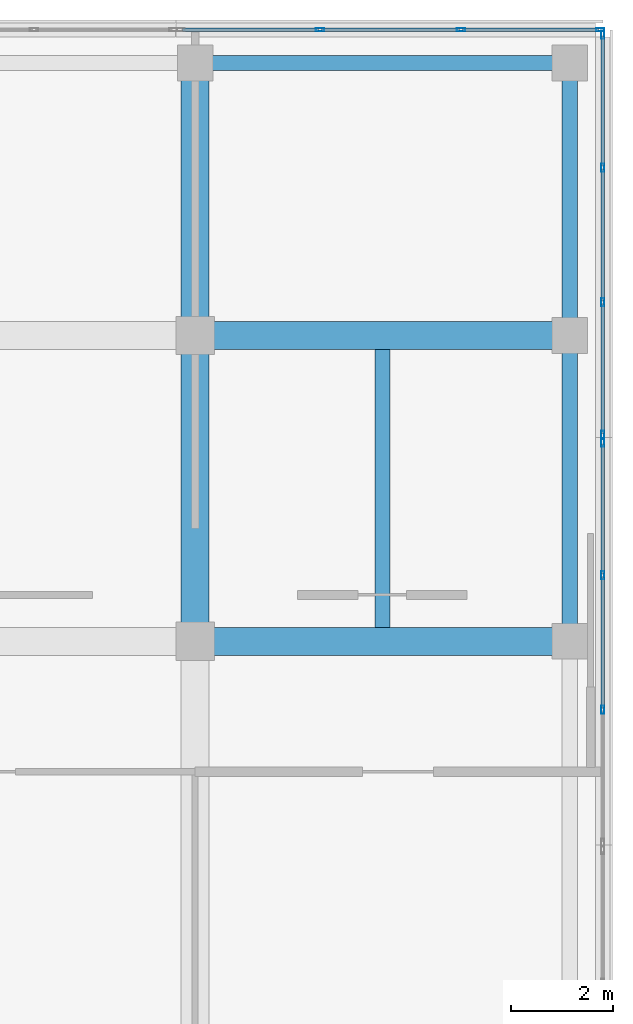
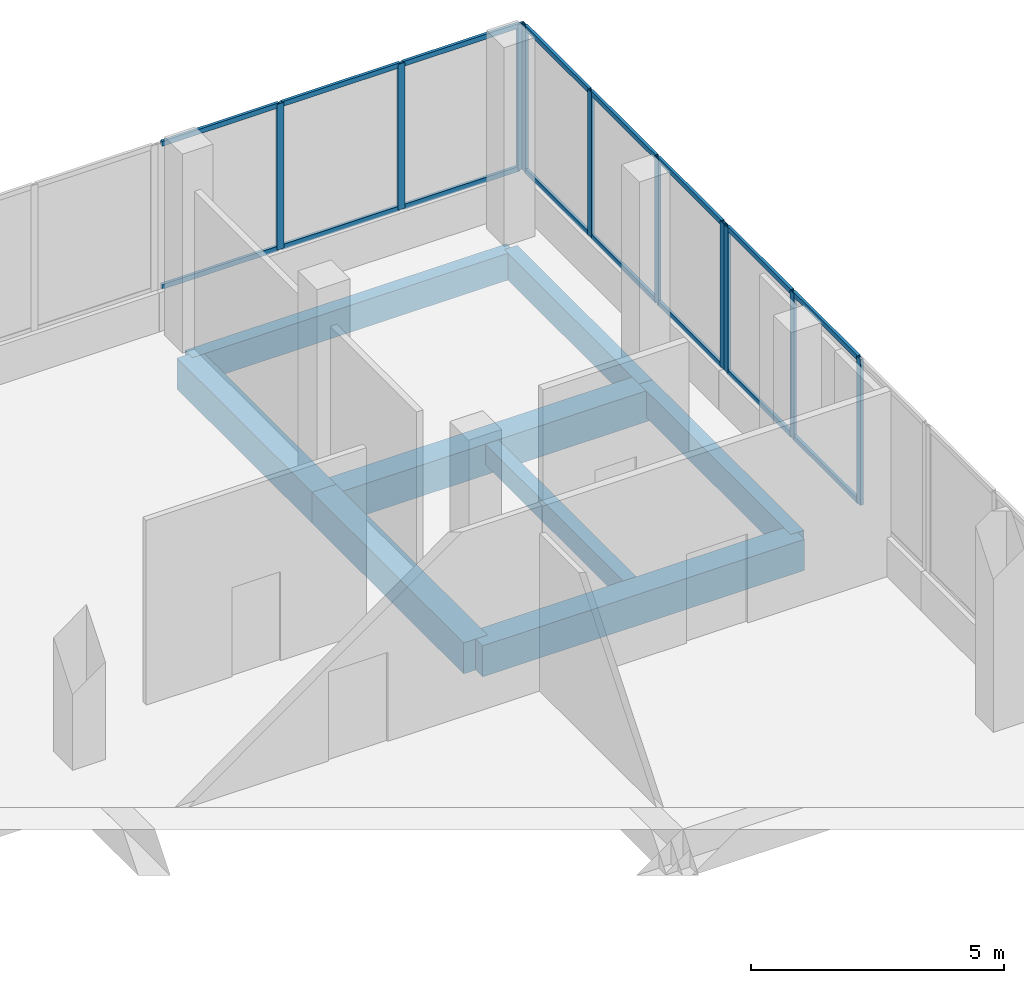
# One storey, part 113 of 155: 26 members, 8 beams, 3 elements without a shape of their own.
"""IFC4 building model written with IfcOpenShell, lengths in metres."""

from ifc_helpers import new_model, si_unit, direction, frame, origin, origin_2d, place, context, subcontext, project, spatial, rectangle, hollow_rectangle, extrude, material, material_profile, profile_set, type_object, element, aggregate, save


model = new_model("IFC4")

# Units and contexts
model_context = context("Model", 3, precision=1e-05, world=origin(), true_north=direction((0.0, 1.0)))
body_context = subcontext(model_context, "Body", "Model", "MODEL_VIEW")
ifc_project = project(units=[si_unit("LENGTHUNIT", "METRE"), si_unit("AREAUNIT", "SQUARE_METRE"), si_unit("VOLUMEUNIT", "CUBIC_METRE"), si_unit("PLANEANGLEUNIT", "RADIAN"), si_unit("MASSUNIT", "GRAM", prefix="KILO")], contexts=[model_context])

# Site, building, storey
site_placement = place(None, origin())
site = spatial("IfcSite", under=ifc_project, at=site_placement, CompositionType="ELEMENT")
building_placement = place(site_placement, origin())
building = spatial("IfcBuilding", under=site, at=building_placement, Name="Selatvlak General Hospital", CompositionType="ELEMENT")
storey_placement = place(building_placement, frame((0.0, 0.0, 10.199951171875)))
storey = spatial("IfcBuildingStorey", under=building, at=storey_placement, Name="L02", CompositionType="ELEMENT", Elevation=10.199951171875)

# Beams
ifc_material_1 = material(Name="Concrete C40/50", Category="concrete")
ifc_material_profile_1 = material_profile(ifc_material_1, rectangle(XDim=0.550048828125, YDim=0.75, at=origin_2d()), Name="RC-BM 550x750")
ifc_profile_set_1 = profile_set([ifc_material_profile_1], Name="Concrete C40/50")
beam_type_1 = type_object("IfcBeamType", Name="BM-G02", PredefinedType="BEAM", material=ifc_profile_set_1)
for number, where, z_axis, x_axis, name in (
    (1, (174.0, 108.0, -0.72998046875), (1.0, 0.0, 0.0), (0.0, 1.0, 0.0), "Beam BMR-L02-0894"),
    (2, (174.0, 114.0, -0.72998046875), (1.0, 0.0, 0.0), (0.0, 1.0, 0.0), "Beam BMR-L02-0907"),
):
    element("IfcBeam", number, at=place(storey_placement, frame(where, z_axis=z_axis, x_axis=x_axis)), inside=storey, type_object=beam_type_1, Name=name, PredefinedType="BEAM", context=body_context, shape_type="SweptSolid", body=[
        extrude(rectangle(XDim=0.550048828125, YDim=0.75, at=origin_2d()), origin(), (0.0, 0.0, 1.0), 7.35009765625),
    ])
beam_1_placement = place(storey_placement, frame((174.0, 108.0, -0.72998046875), z_axis=(0.0, 1.0, 0.0), x_axis=(-1.0, 0.0, 0.0)))
element("IfcBeam", 3, at=beam_1_placement, inside=storey, type_object=beam_type_1, Name="Beam BMR-L02-1069", PredefinedType="BEAM", context=body_context, shape_type="SweptSolid", body=[
    extrude(rectangle(XDim=0.550048828125, YDim=0.75, at=origin_2d()), origin(), (0.0, 0.0, 1.0), 6.0),
])
beam_2_placement = place(storey_placement, frame((174.0, 114.0, -0.72998046875), z_axis=(0.0, 1.0, 0.0), x_axis=(-1.0, 0.0, 0.0)))
element("IfcBeam", 4, at=beam_2_placement, inside=storey, type_object=beam_type_1, Name="Beam BMR-L02-1070", PredefinedType="BEAM", context=body_context, shape_type="SweptSolid", body=[
    extrude(rectangle(XDim=0.550048828125, YDim=0.75, at=origin_2d()), origin(), (0.0, 0.0, 1.0), 5.35009765625),
])
ifc_material_profile_2 = material_profile(ifc_material_1, rectangle(XDim=0.300048828125, YDim=0.5, at=origin_2d()), Name="RC-BM 300x500")
ifc_profile_set_2 = profile_set([ifc_material_profile_2], Name="Concrete C40/50")
beam_type_2 = type_object("IfcBeamType", Name="BM-J02", PredefinedType="JOIST", material=ifc_profile_set_2)
beam_3_placement = place(storey_placement, frame((177.675048828125, 108.27490234375, -0.60498046875), z_axis=(0.0, 1.0, 0.0), x_axis=(-1.0, 0.0, 0.0)))
element("IfcBeam", 5, at=beam_3_placement, inside=storey, type_object=beam_type_2, Name="Beam BMR-L02-1093", PredefinedType="JOIST", context=body_context, shape_type="SweptSolid", body=[
    extrude(rectangle(XDim=0.300048828125, YDim=0.5, at=origin_2d()), origin(), (0.0, 0.0, 1.0), 5.4501953125),
])
ifc_material_profile_3 = material_profile(ifc_material_1, rectangle(XDim=0.300048828125, YDim=0.64990234375, at=origin_2d()), Name="RC-SP 300x650")
ifc_profile_set_3 = profile_set([ifc_material_profile_3], Name="Concrete C40/50")
beam_type_3 = type_object("IfcBeamType", Name="BM-SP1", PredefinedType="SPANDREL", material=ifc_profile_set_3)
beam_4_placement = place(storey_placement, frame((174.0, 119.35009765625, -0.679931640625), z_axis=(1.0, 0.0, 0.0), x_axis=(0.0, 1.0, 0.0)))
element("IfcBeam", 6, at=beam_4_placement, inside=storey, type_object=beam_type_3, Name="Beam BMR-L02-0923", PredefinedType="SPANDREL", context=body_context, shape_type="SweptSolid", body=[
    extrude(rectangle(XDim=0.300048828125, YDim=0.64990234375, at=origin_2d()), origin(), (0.0, 0.0, 1.0), 7.35009765625),
])
beam_5_placement = place(storey_placement, frame((181.35009765625, 108.0, -0.679931640625), z_axis=(0.0, 1.0, 0.0), x_axis=(-1.0, 0.0, 0.0)))
element("IfcBeam", 7, at=beam_5_placement, inside=storey, type_object=beam_type_3, Name="Beam BMR-L02-1079", PredefinedType="SPANDREL", context=body_context, shape_type="SweptSolid", body=[
    extrude(rectangle(XDim=0.300048828125, YDim=0.64990234375, at=origin_2d()), origin(), (0.0, 0.0, 1.0), 6.0),
])
beam_6_placement = place(storey_placement, frame((181.35009765625, 114.0, -0.679931640625), z_axis=(0.0, 1.0, 0.0), x_axis=(-1.0, 0.0, 0.0)))
element("IfcBeam", 8, at=beam_6_placement, inside=storey, type_object=beam_type_3, Name="Beam BMR-L02-1080", PredefinedType="SPANDREL", context=body_context, shape_type="SweptSolid", body=[
    extrude(rectangle(XDim=0.300048828125, YDim=0.64990234375, at=origin_2d()), origin(), (0.0, 0.0, 1.0), 5.35009765625),
])

# Curtain wall, members
ifc_material_2 = material(Name="Solar-control Low-E double glazing", Category="glass")
curtain_wall_type_1 = type_object("IfcCurtainWallType", Name="CW-CW-01", PredefinedType="USERDEFINED", material=ifc_material_2)
curtain_wall_1_placement = place(storey_placement, origin())
curtain_wall_1 = element("IfcCurtainWall", 9, at=curtain_wall_1_placement, inside=storey, type_object=curtain_wall_type_1, Name="Glazed facade curtain wall CW-L02-0262", ObjectType="UNITISED CURTAIN WALL", PredefinedType="USERDEFINED")
ifc_material_3 = material(Name="Dark anodised aluminium mullion", Category="aluminium")
ifc_material_profile_4 = material_profile(ifc_material_3, hollow_rectangle(XDim=0.06494140625, YDim=0.159912109375, WallThickness=0.00390625, at=origin_2d()), Name="AL-MUL 65x160x4")
ifc_profile_set_4 = profile_set([ifc_material_profile_4], Name="Dark anodised aluminium mullion")
member_type_1 = type_object("IfcMemberType", Name="CWM-01", PredefinedType="MULLION", material=ifc_profile_set_4)
member_1_placement = place(storey_placement, frame((176.45068359375, 120.0, 0.93994140625), z_axis=(0.0, 0.0, 1.0), x_axis=(0.0, 1.0, 0.0)))
member_1 = element("IfcMember", 10, at=member_1_placement, type_object=member_type_1, Name="CW-01 mullion 2", PredefinedType="MULLION", context=body_context, shape_type="SweptSolid", body=[
    extrude(hollow_rectangle(XDim=0.06494140625, YDim=0.159912109375, WallThickness=0.00390625, at=origin_2d()), origin(), (0.0, 0.0, 1.0), 3.52001953125),
])
member_2_placement = place(storey_placement, frame((179.21728515625, 120.0, 0.93994140625), z_axis=(0.0, 0.0, 1.0), x_axis=(0.0, 1.0, 0.0)))
member_2 = element("IfcMember", 11, at=member_2_placement, type_object=member_type_1, Name="CW-01 mullion 3", PredefinedType="MULLION", context=body_context, shape_type="SweptSolid", body=[
    extrude(hollow_rectangle(XDim=0.06494140625, YDim=0.159912109375, WallThickness=0.00390625, at=origin_2d()), origin(), (0.0, 0.0, 1.0), 3.52001953125),
])
member_3_placement = place(storey_placement, frame((181.951416015625, 120.0, 0.93994140625), z_axis=(0.0, 0.0, 1.0), x_axis=(0.0, 1.0, 0.0)))
member_3 = element("IfcMember", 12, at=member_3_placement, type_object=member_type_1, Name="CW-01 mullion 4", PredefinedType="MULLION", context=body_context, shape_type="SweptSolid", body=[
    extrude(hollow_rectangle(XDim=0.06494140625, YDim=0.159912109375, WallThickness=0.00390625, at=origin_2d()), origin(), (0.0, 0.0, 1.0), 3.52001953125),
])

curtain_wall_type_2 = type_object("IfcCurtainWallType", Name="CW-CW-02", PredefinedType="USERDEFINED", material=ifc_material_2)
curtain_wall_2_placement = place(storey_placement, origin())
curtain_wall_2 = element("IfcCurtainWall", 13, at=curtain_wall_2_placement, inside=storey, type_object=curtain_wall_type_2, Name="Glazed facade curtain wall CW-L02-0263", ObjectType="UNITISED CURTAIN WALL", PredefinedType="USERDEFINED")
member_4_placement = place(storey_placement, frame((181.9990234375, 119.902587890625, 0.93994140625), z_axis=(0.0, 0.0, 1.0), x_axis=(1.0, 0.0, 0.0)))
member_4 = element("IfcMember", 14, at=member_4_placement, type_object=member_type_1, Name="CW-02 mullion 1", PredefinedType="MULLION", context=body_context, shape_type="SweptSolid", body=[
    extrude(hollow_rectangle(XDim=0.06494140625, YDim=0.159912109375, WallThickness=0.00390625, at=origin_2d()), origin(), (0.0, 0.0, 1.0), 3.52001953125),
])
member_5_placement = place(storey_placement, frame((181.9990234375, 117.294921875, 0.93994140625), z_axis=(0.0, 0.0, 1.0), x_axis=(1.0, 0.0, 0.0)))
member_5 = element("IfcMember", 15, at=member_5_placement, type_object=member_type_1, Name="CW-02 mullion 2", PredefinedType="MULLION", context=body_context, shape_type="SweptSolid", body=[
    extrude(hollow_rectangle(XDim=0.06494140625, YDim=0.159912109375, WallThickness=0.00390625, at=origin_2d()), origin(), (0.0, 0.0, 1.0), 3.52001953125),
])
member_6_placement = place(storey_placement, frame((181.9990234375, 114.655029296875, 0.93994140625), z_axis=(0.0, 0.0, 1.0), x_axis=(1.0, 0.0, 0.0)))
member_6 = element("IfcMember", 16, at=member_6_placement, type_object=member_type_1, Name="CW-02 mullion 3", PredefinedType="MULLION", context=body_context, shape_type="SweptSolid", body=[
    extrude(hollow_rectangle(XDim=0.06494140625, YDim=0.159912109375, WallThickness=0.00390625, at=origin_2d()), origin(), (0.0, 0.0, 1.0), 3.52001953125),
])
member_7_placement = place(storey_placement, frame((181.9990234375, 112.047607421875, 0.93994140625), z_axis=(0.0, 0.0, 1.0), x_axis=(1.0, 0.0, 0.0)))
member_7 = element("IfcMember", 17, at=member_7_placement, type_object=member_type_1, Name="CW-02 mullion 4", PredefinedType="MULLION", context=body_context, shape_type="SweptSolid", body=[
    extrude(hollow_rectangle(XDim=0.06494140625, YDim=0.159912109375, WallThickness=0.00390625, at=origin_2d()), origin(), (0.0, 0.0, 1.0), 3.52001953125),
])

curtain_wall_3_placement = place(storey_placement, origin())
curtain_wall_3 = element("IfcCurtainWall", 18, at=curtain_wall_3_placement, inside=storey, type_object=curtain_wall_type_1, Name="Glazed facade curtain wall CW-L02-0264", ObjectType="UNITISED CURTAIN WALL", PredefinedType="USERDEFINED")
member_8_placement = place(storey_placement, frame((181.9990234375, 111.902587890625, 0.93994140625), z_axis=(0.0, 0.0, 1.0), x_axis=(0.999999992027, 0.000126278568, 0.0)))
member_8 = element("IfcMember", 19, at=member_8_placement, type_object=member_type_1, Name="CW-01 mullion 1", PredefinedType="MULLION", context=body_context, shape_type="SweptSolid", body=[
    extrude(hollow_rectangle(XDim=0.06494140625, YDim=0.159912109375, WallThickness=0.00390625, at=origin_2d()), origin(), (0.0, 0.0, 1.0), 3.52001953125),
])
member_9_placement = place(storey_placement, frame((181.999267578125, 109.29541015625, 0.93994140625), z_axis=(0.0, 0.0, 1.0), x_axis=(0.999999992027, 0.000126278568, 0.0)))
member_9 = element("IfcMember", 20, at=member_9_placement, type_object=member_type_1, Name="CW-01 mullion 2", PredefinedType="MULLION", context=body_context, shape_type="SweptSolid", body=[
    extrude(hollow_rectangle(XDim=0.06494140625, YDim=0.159912109375, WallThickness=0.00390625, at=origin_2d()), origin(), (0.0, 0.0, 1.0), 3.52001953125),
])
member_10_placement = place(storey_placement, frame((181.999755859375, 106.65576171875, 0.93994140625), z_axis=(0.0, 0.0, 1.0), x_axis=(0.999999992027, 0.000126278568, 0.0)))
member_10 = element("IfcMember", 21, at=member_10_placement, type_object=member_type_1, Name="CW-01 mullion 3", PredefinedType="MULLION", context=body_context, shape_type="SweptSolid", body=[
    extrude(hollow_rectangle(XDim=0.06494140625, YDim=0.159912109375, WallThickness=0.00390625, at=origin_2d()), origin(), (0.0, 0.0, 1.0), 3.52001953125),
])

# Member
ifc_material_profile_5 = material_profile(ifc_material_3, hollow_rectangle(XDim=0.06494140625, YDim=0.1201171875, WallThickness=0.00390625, at=origin_2d()), Name="AL-TRN 65x120x4")
ifc_profile_set_5 = profile_set([ifc_material_profile_5], Name="Dark anodised aluminium mullion")
member_type_2 = type_object("IfcMemberType", Name="CWT-01", PredefinedType="USERDEFINED", material=ifc_profile_set_5)
member_11_placement = place(storey_placement, frame((173.7490234375, 120.0, 0.97265625), z_axis=(1.0, 0.0, 0.0), x_axis=(0.0, 1.0, 0.0)))
member_11 = element("IfcMember", 22, at=member_11_placement, type_object=member_type_2, Name="CW-01 transom 1.1", ObjectType="TRANSOM", PredefinedType="USERDEFINED", context=body_context, shape_type="SweptSolid", body=[
    extrude(hollow_rectangle(XDim=0.06494140625, YDim=0.1201171875, WallThickness=0.00390625, at=origin_2d()), origin(), (0.0, 0.0, 1.0), 2.669189453125),
])

member_12_placement = place(storey_placement, frame((173.7490234375, 120.0, 4.427490234375), z_axis=(1.0, 0.0, 0.0), x_axis=(0.0, 1.0, 0.0)))
member_12 = element("IfcMember", 23, at=member_12_placement, type_object=member_type_2, Name="CW-01 transom 1.2", ObjectType="TRANSOM", PredefinedType="USERDEFINED", context=body_context, shape_type="SweptSolid", body=[
    extrude(hollow_rectangle(XDim=0.06494140625, YDim=0.1201171875, WallThickness=0.00390625, at=origin_2d()), origin(), (0.0, 0.0, 1.0), 2.669189453125),
])

member_13_placement = place(storey_placement, frame((176.483154296875, 120.0, 0.97265625), z_axis=(1.0, 0.0, 0.0), x_axis=(0.0, 1.0, 0.0)))
member_13 = element("IfcMember", 24, at=member_13_placement, type_object=member_type_2, Name="CW-01 transom 2.1", ObjectType="TRANSOM", PredefinedType="USERDEFINED", context=body_context, shape_type="SweptSolid", body=[
    extrude(hollow_rectangle(XDim=0.06494140625, YDim=0.1201171875, WallThickness=0.00390625, at=origin_2d()), origin(), (0.0, 0.0, 1.0), 2.70166015625),
])

member_14_placement = place(storey_placement, frame((176.483154296875, 120.0, 4.427490234375), z_axis=(1.0, 0.0, 0.0), x_axis=(0.0, 1.0, 0.0)))
member_14 = element("IfcMember", 25, at=member_14_placement, type_object=member_type_2, Name="CW-01 transom 2.2", ObjectType="TRANSOM", PredefinedType="USERDEFINED", context=body_context, shape_type="SweptSolid", body=[
    extrude(hollow_rectangle(XDim=0.06494140625, YDim=0.1201171875, WallThickness=0.00390625, at=origin_2d()), origin(), (0.0, 0.0, 1.0), 2.70166015625),
])

member_15_placement = place(storey_placement, frame((179.249755859375, 120.0, 0.97265625), z_axis=(1.0, 0.0, 0.0), x_axis=(0.0, 1.0, 0.0)))
member_15 = element("IfcMember", 26, at=member_15_placement, type_object=member_type_2, Name="CW-01 transom 3.1", ObjectType="TRANSOM", PredefinedType="USERDEFINED", context=body_context, shape_type="SweptSolid", body=[
    extrude(hollow_rectangle(XDim=0.06494140625, YDim=0.1201171875, WallThickness=0.00390625, at=origin_2d()), origin(), (0.0, 0.0, 1.0), 2.669189453125),
])

member_16_placement = place(storey_placement, frame((179.249755859375, 120.0, 4.427490234375), z_axis=(1.0, 0.0, 0.0), x_axis=(0.0, 1.0, 0.0)))
member_16 = element("IfcMember", 27, at=member_16_placement, type_object=member_type_2, Name="CW-01 transom 3.2", ObjectType="TRANSOM", PredefinedType="USERDEFINED", context=body_context, shape_type="SweptSolid", body=[
    extrude(hollow_rectangle(XDim=0.06494140625, YDim=0.1201171875, WallThickness=0.00390625, at=origin_2d()), origin(), (0.0, 0.0, 1.0), 2.669189453125),
])

aggregate(curtain_wall_1, [member_1, member_2, member_3, member_11, member_12, member_13, member_14, member_15, member_16])

member_17_placement = place(storey_placement, frame((181.9990234375, 119.8701171875, 0.97265625), z_axis=(0.0, -1.0, 0.0), x_axis=(1.0, 0.0, 0.0)))
member_17 = element("IfcMember", 28, at=member_17_placement, type_object=member_type_2, Name="CW-02 transom 1.1", ObjectType="TRANSOM", PredefinedType="USERDEFINED", context=body_context, shape_type="SweptSolid", body=[
    extrude(hollow_rectangle(XDim=0.06494140625, YDim=0.1201171875, WallThickness=0.00390625, at=origin_2d()), origin(), (0.0, 0.0, 1.0), 2.542724609375),
])

member_18_placement = place(storey_placement, frame((181.9990234375, 119.8701171875, 4.427490234375), z_axis=(0.0, -1.0, 0.0), x_axis=(1.0, 0.0, 0.0)))
member_18 = element("IfcMember", 29, at=member_18_placement, type_object=member_type_2, Name="CW-02 transom 1.2", ObjectType="TRANSOM", PredefinedType="USERDEFINED", context=body_context, shape_type="SweptSolid", body=[
    extrude(hollow_rectangle(XDim=0.06494140625, YDim=0.1201171875, WallThickness=0.00390625, at=origin_2d()), origin(), (0.0, 0.0, 1.0), 2.542724609375),
])

member_19_placement = place(storey_placement, frame((181.9990234375, 117.262451171875, 0.97265625), z_axis=(0.0, -1.0, 0.0), x_axis=(1.0, 0.0, 0.0)))
member_19 = element("IfcMember", 30, at=member_19_placement, type_object=member_type_2, Name="CW-02 transom 2.1", ObjectType="TRANSOM", PredefinedType="USERDEFINED", context=body_context, shape_type="SweptSolid", body=[
    extrude(hollow_rectangle(XDim=0.06494140625, YDim=0.1201171875, WallThickness=0.00390625, at=origin_2d()), origin(), (0.0, 0.0, 1.0), 2.574951171875),
])

member_20_placement = place(storey_placement, frame((181.9990234375, 117.262451171875, 4.427490234375), z_axis=(0.0, -1.0, 0.0), x_axis=(1.0, 0.0, 0.0)))
member_20 = element("IfcMember", 31, at=member_20_placement, type_object=member_type_2, Name="CW-02 transom 2.2", ObjectType="TRANSOM", PredefinedType="USERDEFINED", context=body_context, shape_type="SweptSolid", body=[
    extrude(hollow_rectangle(XDim=0.06494140625, YDim=0.1201171875, WallThickness=0.00390625, at=origin_2d()), origin(), (0.0, 0.0, 1.0), 2.574951171875),
])

member_21_placement = place(storey_placement, frame((181.9990234375, 114.62255859375, 0.97265625), z_axis=(0.0, -1.0, 0.0), x_axis=(1.0, 0.0, 0.0)))
member_21 = element("IfcMember", 32, at=member_21_placement, type_object=member_type_2, Name="CW-02 transom 3.1", ObjectType="TRANSOM", PredefinedType="USERDEFINED", context=body_context, shape_type="SweptSolid", body=[
    extrude(hollow_rectangle(XDim=0.06494140625, YDim=0.1201171875, WallThickness=0.00390625, at=origin_2d()), origin(), (0.0, 0.0, 1.0), 2.54248046875),
])

member_22_placement = place(storey_placement, frame((181.9990234375, 114.62255859375, 4.427490234375), z_axis=(0.0, -1.0, 0.0), x_axis=(1.0, 0.0, 0.0)))
member_22 = element("IfcMember", 33, at=member_22_placement, type_object=member_type_2, Name="CW-02 transom 3.2", ObjectType="TRANSOM", PredefinedType="USERDEFINED", context=body_context, shape_type="SweptSolid", body=[
    extrude(hollow_rectangle(XDim=0.06494140625, YDim=0.1201171875, WallThickness=0.00390625, at=origin_2d()), origin(), (0.0, 0.0, 1.0), 2.54248046875),
])

aggregate(curtain_wall_2, [member_4, member_5, member_6, member_7, member_17, member_18, member_19, member_20, member_21, member_22])

member_23_placement = place(storey_placement, frame((181.9990234375, 111.8701171875, 0.97265625), z_axis=(9.6033803e-05, -0.999999995389, 0.0), x_axis=(0.999999995389, 9.6033803e-05, 0.0)))
member_23 = element("IfcMember", 34, at=member_23_placement, type_object=member_type_2, Name="CW-01 transom 1.1", ObjectType="TRANSOM", PredefinedType="USERDEFINED", context=body_context, shape_type="SweptSolid", body=[
    extrude(hollow_rectangle(XDim=0.06494140625, YDim=0.1201171875, WallThickness=0.00390625, at=origin_2d()), origin(), (0.0, 0.0, 1.0), 2.542236328125),
])

member_24_placement = place(storey_placement, frame((181.9990234375, 111.8701171875, 4.427490234375), z_axis=(9.6033803e-05, -0.999999995389, 0.0), x_axis=(0.999999995389, 9.6033803e-05, 0.0)))
member_24 = element("IfcMember", 35, at=member_24_placement, type_object=member_type_2, Name="CW-01 transom 1.2", ObjectType="TRANSOM", PredefinedType="USERDEFINED", context=body_context, shape_type="SweptSolid", body=[
    extrude(hollow_rectangle(XDim=0.06494140625, YDim=0.1201171875, WallThickness=0.00390625, at=origin_2d()), origin(), (0.0, 0.0, 1.0), 2.542236328125),
])

member_25_placement = place(storey_placement, frame((181.999267578125, 109.262939453125, 0.97265625), z_axis=(0.00018964536, -0.999999982017, 0.0), x_axis=(0.999999982017, 0.00018964536, 0.0)))
member_25 = element("IfcMember", 36, at=member_25_placement, type_object=member_type_2, Name="CW-01 transom 2.1", ObjectType="TRANSOM", PredefinedType="USERDEFINED", context=body_context, shape_type="SweptSolid", body=[
    extrude(hollow_rectangle(XDim=0.06494140625, YDim=0.1201171875, WallThickness=0.00390625, at=origin_2d()), origin(), (0.0, 0.0, 1.0), 2.57470703125),
])

member_26_placement = place(storey_placement, frame((181.999267578125, 109.262939453125, 4.427490234375), z_axis=(0.00018964536, -0.999999982017, 0.0), x_axis=(0.999999982017, 0.00018964536, 0.0)))
member_26 = element("IfcMember", 37, at=member_26_placement, type_object=member_type_2, Name="CW-01 transom 2.2", ObjectType="TRANSOM", PredefinedType="USERDEFINED", context=body_context, shape_type="SweptSolid", body=[
    extrude(hollow_rectangle(XDim=0.06494140625, YDim=0.1201171875, WallThickness=0.00390625, at=origin_2d()), origin(), (0.0, 0.0, 1.0), 2.57470703125),
])

aggregate(curtain_wall_3, [member_8, member_9, member_10, member_23, member_24, member_25, member_26])

save(model, "model.ifc")
